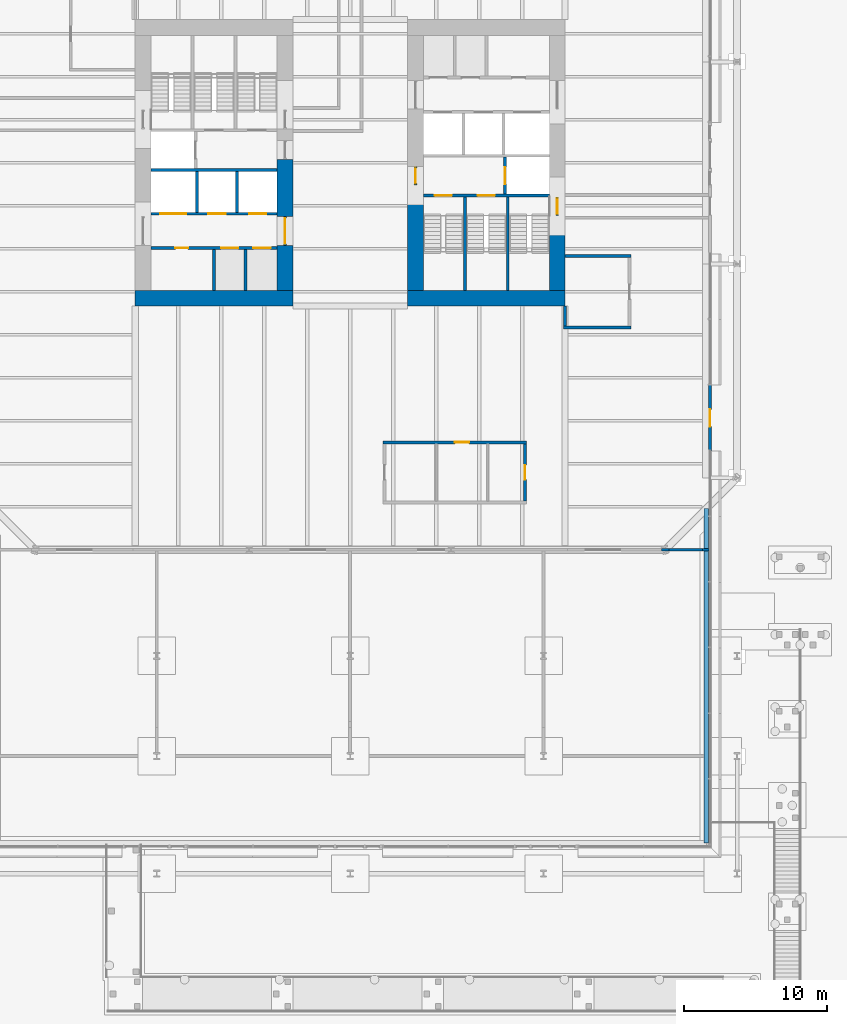
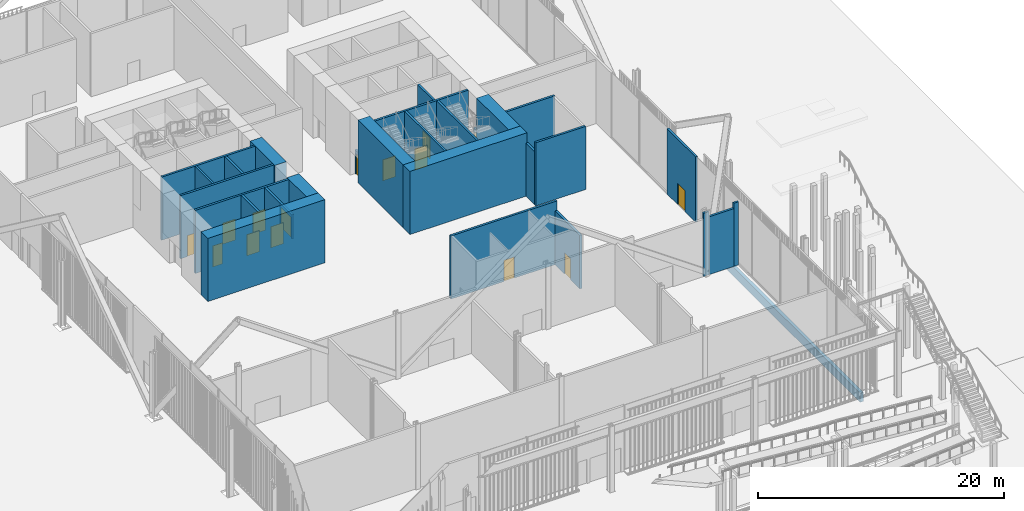
# One storey, part 15 of 28: 30 walls, 15 doors, 15 openings.
"""IFC4 building model written with IfcOpenShell, lengths in metres."""

from ifc_helpers import new_model, si_unit, direction, frame, frame_2d, origin, place, context, subcontext, project, spatial, rectangle, extrude, material, layer, layer_set, type_object, element, fill, save


model = new_model("IFC4")

# Units and contexts
model_context = context("Model", 3, precision=1e-05, world=origin(), true_north=direction((0.0, 1.0)))
body_context = subcontext(model_context, "Body", "Model", "MODEL_VIEW")
ifc_project = project(units=[si_unit("LENGTHUNIT", "METRE"), si_unit("AREAUNIT", "SQUARE_METRE"), si_unit("VOLUMEUNIT", "CUBIC_METRE"), si_unit("PLANEANGLEUNIT", "RADIAN"), si_unit("MASSUNIT", "GRAM", prefix="KILO")], contexts=[model_context])

# Site, building, storey
site_placement = place(None, origin())
site = spatial("IfcSite", under=ifc_project, at=site_placement, CompositionType="ELEMENT")
building_placement = place(site_placement, origin())
building = spatial("IfcBuilding", under=site, at=building_placement, Name="Millrace Tower", CompositionType="ELEMENT")
storey_placement = place(building_placement, origin())
storey = spatial("IfcBuildingStorey", under=building, at=storey_placement, Name="L01", CompositionType="ELEMENT", Elevation=0.0)

# Walls
ifc_material_1 = material(Name="Concrete C80", Category="concrete")
ifc_layer_1 = layer(ifc_material_1, 1.10009765625)
ifc_layer_set_1 = layer_set([ifc_layer_1], Name="Concrete C80")
wall_type_1 = type_object("IfcWallType", Name="Core wall 1100 Concrete C80", PredefinedType="SHEAR", material=ifc_layer_set_1)
wall_1_placement = place(storey_placement, frame((-15.0, -9.449951171875, 0.0), z_axis=(0.0, 0.0, 1.0), x_axis=(1.0, 0.0, 0.0)))
element("IfcWall", 1, at=wall_1_placement, inside=storey, type_object=wall_type_1, Name="Core wall W L01", PredefinedType="SHEAR", context=body_context, shape_type="SweptSolid", body=[
    extrude(rectangle(XDim=11.0, YDim=1.10009765625, at=frame_2d((5.5, 0.0))), origin(), (0.0, 0.0, 1.0), 6.27490234375),
])
wall_2_placement = place(storey_placement, frame((-4.550048828125, -8.89990234375, 0.0), z_axis=(0.0, 0.0, 1.0), x_axis=(0.0, 1.0, 0.0)))
element("IfcWall", 2, at=wall_2_placement, inside=storey, type_object=wall_type_1, Name="Core wall W L01", PredefinedType="SHEAR", context=body_context, shape_type="SweptSolid", body=[
    extrude(rectangle(XDim=3.14990234375, YDim=1.10009765625, at=frame_2d((1.574951171875, 0.0))), origin(), (0.0, 0.0, 1.0), 6.27490234375),
])
wall_3_placement = place(storey_placement, frame((-4.550048828125, -3.75, 0.0), z_axis=(0.0, 0.0, 1.0), x_axis=(0.0, 1.0, 0.0)))
element("IfcWall", 3, at=wall_3_placement, inside=storey, type_object=wall_type_1, Name="Core wall W L01", PredefinedType="SHEAR", context=body_context, shape_type="SweptSolid", body=[
    extrude(rectangle(XDim=4.0, YDim=1.10009765625, at=frame_2d((2.0, 0.0))), origin(), (0.0, 0.0, 1.0), 6.27490234375),
])
wall_4_placement = place(storey_placement, frame((15.0, -9.449951171875, 0.0), z_axis=(0.0, 0.0, 1.0), x_axis=(-1.0, 0.0, 0.0)))
element("IfcWall", 4, at=wall_4_placement, inside=storey, type_object=wall_type_1, Name="Core wall E L01", PredefinedType="SHEAR", context=body_context, shape_type="SweptSolid", body=[
    extrude(rectangle(XDim=11.0, YDim=1.10009765625, at=frame_2d((5.5, 0.0))), origin(), (0.0, 0.0, 1.0), 6.27490234375),
])
wall_5_placement = place(storey_placement, frame((14.449951171875, -3.679931640625, 0.0), z_axis=(0.0, 0.0, 1.0), x_axis=(0.0, -1.0, 0.0)))
element("IfcWall", 5, at=wall_5_placement, inside=storey, type_object=wall_type_1, Name="Core wall E L01", PredefinedType="SHEAR", context=body_context, shape_type="SweptSolid", body=[
    extrude(rectangle(XDim=5.219970703125, YDim=1.10009765625, at=frame_2d((2.60986328125, 0.0))), origin(), (0.0, 0.0, 1.0), 6.27490234375),
])
wall_6_placement = place(storey_placement, frame((4.550048828125, -1.550048828125, 0.0), z_axis=(0.0, 0.0, 1.0), x_axis=(0.0, -1.0, 0.0)))
element("IfcWall", 6, at=wall_6_placement, inside=storey, type_object=wall_type_1, Name="Core wall E L01", PredefinedType="SHEAR", context=body_context, shape_type="SweptSolid", body=[
    extrude(rectangle(XDim=7.349853515625, YDim=1.10009765625, at=frame_2d((3.6748046875, 0.0))), origin(), (0.0, 0.0, 1.0), 6.27490234375),
])
ifc_material_2 = material(Name="Masonry partition, fire-rated", Category="masonry")
ifc_layer_2 = layer(ifc_material_2, 0.199951171875)
ifc_layer_set_2 = layer_set([ifc_layer_2], Name="Masonry partition, fire-rated")
wall_type_2 = type_object("IfcWallType", Name="Corridor wall 200", PredefinedType="PARTITIONING", material=ifc_layer_set_2)
wall_7_placement = place(storey_placement, frame((21.718505859375, -27.0, 0.0), z_axis=(0.0, 0.0, 1.0), x_axis=(1.0, 0.0, 0.0)))
element("IfcWall", 7, at=wall_7_placement, inside=storey, type_object=wall_type_2, Name="Corridor wall L01", PredefinedType="PARTITIONING", context=body_context, shape_type="SweptSolid", body=[
    extrude(rectangle(XDim=0.515869140625, YDim=0.199951171875, at=frame_2d((0.2578125, 0.0))), origin(), (0.0, 0.0, 1.0), 6.27490234375),
])
wall_8_placement = place(storey_placement, frame((22.234375, -27.0, 0.0), z_axis=(0.0, 0.0, 1.0), x_axis=(1.0, 0.0, 0.0)))
element("IfcWall", 8, at=wall_8_placement, inside=storey, type_object=wall_type_2, Name="Corridor wall L01", PredefinedType="PARTITIONING", context=body_context, shape_type="SweptSolid", body=[
    extrude(rectangle(XDim=2.343994140625, YDim=0.199951171875, at=frame_2d((1.171875, 0.0))), origin(), (0.0, 0.0, 1.0), 5.749267578125),
])
wall_9_placement = place(storey_placement, frame((24.578369140625, -27.0, 0.0), z_axis=(0.0, 0.0, 1.0), x_axis=(1.0, 0.0, 0.0)))
element("IfcWall", 9, at=wall_9_placement, inside=storey, type_object=wall_type_2, Name="Corridor wall L01", PredefinedType="PARTITIONING", context=body_context, shape_type="SweptSolid", body=[
    extrude(rectangle(XDim=0.45166015625, YDim=0.199951171875, at=frame_2d((0.225830078125, 0.0))), origin(), (0.0, 0.0, 1.0), 6.27490234375),
])

# Wall, opening, door
wall_10_placement = place(storey_placement, frame((2.300048828125, -19.5, 0.0), z_axis=(0.0, 0.0, 1.0), x_axis=(1.0, 0.0, 0.0)))
wall_10 = element("IfcWall", 10, at=wall_10_placement, inside=storey, type_object=wall_type_2, Name="Corridor wall L01", PredefinedType="PARTITIONING", context=body_context, shape_type="SweptSolid", body=[
    extrude(rectangle(XDim=10.0, YDim=0.199951171875, at=frame_2d((5.0, 0.0))), origin(), (0.0, 0.0, 1.0), 6.27490234375),
])
opening_1_placement = place(wall_10_placement, frame((5.0, 0.0, 0.0)))
opening_1 = element("IfcOpeningElement", 11, at=opening_1_placement, cuts=wall_10, Name="Opening 01-P010", PredefinedType="OPENING", context=body_context, shape_type="SweptSolid", body=[
    extrude(rectangle(XDim=1.0, YDim=2.10009765625, at=frame_2d((0.5, 1.050048828125))), frame((0.0, 0.10986328125, 0.0), z_axis=(0.0, -1.0, 0.0), x_axis=(1.0, 0.0, 0.0)), (0.0, 0.0, 1.0), 0.219970703125),
])
ifc_material_3 = material(Name="Steel door set, fire-rated", Category="steel")
door_type_1 = type_object("IfcDoorType", Name="Corridor door 1000 x 2100", OperationType="SINGLE_SWING_LEFT", PredefinedType="DOOR", material=ifc_material_3)
door_1_placement = place(opening_1_placement, frame((1.0, 0.0, 0.0), z_axis=(0.0, 0.0, 1.0), x_axis=(-1.0, 0.0, 0.0)))
door_1 = element("IfcDoor", 12, at=door_1_placement, inside=storey, type_object=door_type_1, Name="Door 01-P010", OperationType="SINGLE_SWING_LEFT", OverallHeight=2.10009765625, OverallWidth=1.0, PredefinedType="DOOR", context=body_context, shape_type="SweptSolid", body=[
    extrude(rectangle(XDim=1.0, YDim=2.10009765625, at=frame_2d((0.5, 1.050048828125))), frame((0.0, 0.02490234375, 0.0), z_axis=(0.0, -1.0, 0.0), x_axis=(1.0, 0.0, 0.0)), (0.0, 0.0, 1.0), 0.050048828125),
])
fill(opening_1, door_1)

# Walls
wall_11_placement = place(storey_placement, frame((14.89990234375, -11.5, 0.0), z_axis=(0.0, 0.0, 1.0), x_axis=(1.0, 0.0, 0.0)))
element("IfcWall", 13, at=wall_11_placement, inside=storey, type_object=wall_type_2, Name="Corridor wall L01", PredefinedType="PARTITIONING", context=body_context, shape_type="SweptSolid", body=[
    extrude(rectangle(XDim=4.7001953125, YDim=0.199951171875, at=frame_2d((2.35009765625, 0.0))), origin(), (0.0, 0.0, 1.0), 6.27490234375),
])
wall_12_placement = place(storey_placement, frame((15.0, -6.5, 0.0), z_axis=(0.0, 0.0, 1.0), x_axis=(1.0, 0.0, 0.0)))
element("IfcWall", 14, at=wall_12_placement, inside=storey, type_object=wall_type_2, Name="Corridor wall L01", PredefinedType="PARTITIONING", context=body_context, shape_type="SweptSolid", body=[
    extrude(rectangle(XDim=4.60009765625, YDim=0.199951171875, at=frame_2d((2.300048828125, 0.0))), origin(), (0.0, 0.0, 1.0), 6.27490234375),
])
wall_13_placement = place(storey_placement, frame((15.0, -11.39990234375, 0.0), z_axis=(0.0, 0.0, 1.0), x_axis=(0.0, 1.0, 0.0)))
element("IfcWall", 15, at=wall_13_placement, inside=storey, type_object=wall_type_2, Name="Corridor wall L01", PredefinedType="PARTITIONING", context=body_context, shape_type="SweptSolid", body=[
    extrude(rectangle(XDim=1.39990234375, YDim=0.199951171875, at=frame_2d((0.699951171875, 0.0))), origin(), (0.0, 0.0, 1.0), 5.281982421875),
])

# Wall, opening, door
wall_14_placement = place(storey_placement, frame((12.199951171875, -23.60009765625, 0.0), z_axis=(0.0, 0.0, 1.0), x_axis=(0.0, 1.0, 0.0)))
wall_14 = element("IfcWall", 16, at=wall_14_placement, inside=storey, type_object=wall_type_2, Name="Corridor wall L01", PredefinedType="PARTITIONING", context=body_context, shape_type="SweptSolid", body=[
    extrude(rectangle(XDim=4.0, YDim=0.199951171875, at=frame_2d((2.0, 0.0))), origin(), (0.0, 0.0, 1.0), 5.347900390625),
])
opening_2_placement = place(wall_14_placement, frame((1.5, 0.0, 0.0)))
opening_2 = element("IfcOpeningElement", 17, at=opening_2_placement, cuts=wall_14, Name="Opening 01-P011", PredefinedType="OPENING", context=body_context, shape_type="SweptSolid", body=[
    extrude(rectangle(XDim=1.0, YDim=2.10009765625, at=frame_2d((0.5, 1.050048828125))), frame((0.0, 0.10986328125, 0.0), z_axis=(0.0, -1.0, 0.0), x_axis=(1.0, 0.0, 0.0)), (0.0, 0.0, 1.0), 0.219970703125),
])
door_2_placement = place(opening_2_placement, origin())
door_2 = element("IfcDoor", 18, at=door_2_placement, inside=storey, type_object=door_type_1, Name="Door 01-P011", OperationType="SINGLE_SWING_RIGHT", OverallHeight=2.10009765625, OverallWidth=1.0, PredefinedType="DOOR", context=body_context, shape_type="SweptSolid", body=[
    extrude(rectangle(XDim=1.0, YDim=2.10009765625, at=frame_2d((0.5, 1.050048828125))), frame((0.0, 0.02490234375, 0.0), z_axis=(0.0, -1.0, 0.0), x_axis=(1.0, 0.0, 0.0)), (0.0, 0.0, 1.0), 0.050048828125),
])
fill(opening_2, door_2)

ifc_material_4 = material(Name="Aluminium framed glazing", Category="aluminium")
ifc_layer_3 = layer(ifc_material_4, 0.199951171875)
ifc_layer_set_3 = layer_set([ifc_layer_3], Name="Aluminium framed glazing")
wall_type_3 = type_object("IfcWallType", Name="Entrance infill wall 200 thick", PredefinedType="STANDARD", material=ifc_layer_set_3)
wall_15_placement = place(storey_placement, frame((25.10009765625, -20.10009765625, 0.0), z_axis=(0.0, 0.0, 1.0), x_axis=(0.0, 1.0, 0.0)))
wall_15 = element("IfcWall", 19, at=wall_15_placement, inside=storey, type_object=wall_type_3, Name="Entrance infill wall AW1-F02 7", PredefinedType="STANDARD", context=body_context, shape_type="SweptSolid", body=[
    extrude(rectangle(XDim=4.658447265625, YDim=0.199951171875, at=frame_2d((2.3291015625, 0.0))), origin(), (0.0, 0.0, 1.0), 6.5),
])
opening_3_placement = place(wall_15_placement, frame((1.691650390625, 0.0, 0.0)))
opening_3 = element("IfcOpeningElement", 20, at=opening_3_placement, cuts=wall_15, Name="Opening 01-X004", PredefinedType="OPENING", context=body_context, shape_type="SweptSolid", body=[
    extrude(rectangle(XDim=1.199951171875, YDim=2.10009765625, at=frame_2d((0.60009765625, 1.050048828125))), frame((0.0, 0.10986328125, 0.0), z_axis=(0.0, -1.0, 0.0), x_axis=(1.0, 0.0, 0.0)), (0.0, 0.0, 1.0), 0.219970703125),
])
ifc_material_5 = material(Name="Steel", Category="steel")
door_type_2 = type_object("IfcDoorType", Name="Exit door to the plaza", OperationType="SINGLE_SWING_RIGHT", PredefinedType="DOOR", material=ifc_material_5)
door_3_placement = place(opening_3_placement, frame((1.199951171875, 0.0, 0.0), z_axis=(0.0, 0.0, 1.0), x_axis=(-1.0, 0.0, 0.0)))
door_3 = element("IfcDoor", 21, at=door_3_placement, inside=storey, type_object=door_type_2, Name="01-X004", OperationType="SINGLE_SWING_RIGHT", OverallHeight=2.10009765625, OverallWidth=1.199951171875, PredefinedType="DOOR", context=body_context, shape_type="SweptSolid", body=[
    extrude(rectangle(XDim=1.199951171875, YDim=2.10009765625, at=frame_2d((0.60009765625, 1.050048828125))), frame((0.0, 0.02490234375, 0.0), z_axis=(0.0, -1.0, 0.0), x_axis=(1.0, 0.0, 0.0)), (0.0, 0.0, 1.0), 0.050048828125),
])
fill(opening_3, door_3)

# Wall
ifc_material_6 = material(Name="Concrete C35", Category="concrete")
ifc_layer_4 = layer(ifc_material_6, 0.300048828125)
ifc_layer_set_4 = layer_set([ifc_layer_4], Name="Concrete C35")
wall_type_4 = type_object("IfcWallType", Name="Frost wall 300 mm", PredefinedType="SOLIDWALL", material=ifc_layer_set_4)
wall_16_placement = place(storey_placement, frame((24.85009765625, -24.12841796875, -1.199951171875), z_axis=(0.0, 0.0, 1.0), x_axis=(0.0, -1.0, 0.0)))
element("IfcWall", 22, at=wall_16_placement, inside=storey, type_object=wall_type_4, Name="BW-A-L01-F02", PredefinedType="SOLIDWALL", context=body_context, shape_type="SweptSolid", body=[
    extrude(rectangle(XDim=23.321533203125, YDim=0.300048828125, at=frame_2d((11.66064453125, 0.0))), origin(), (0.0, 0.0, 1.0), 0.89990234375),
])

# Wall, openings, doors
ifc_material_7 = material(Name="Masonry partition, fire-rated", Category="masonry")
ifc_layer_5 = layer(ifc_material_7, 0.199951171875)
ifc_layer_set_5 = layer_set([ifc_layer_5], Name="Masonry partition, fire-rated")
wall_type_5 = type_object("IfcWallType", Name="Lift shaft wall 200", PredefinedType="PARTITIONING", material=ifc_layer_set_5)
wall_17_placement = place(storey_placement, frame((-13.89990234375, -5.949951171875, 0.0), z_axis=(0.0, 0.0, 1.0), x_axis=(1.0, 0.0, 0.0)))
wall_17 = element("IfcWall", 23, at=wall_17_placement, inside=storey, type_object=wall_type_5, Name="Lift shaft wall W L01", PredefinedType="PARTITIONING", context=body_context, shape_type="SweptSolid", body=[
    extrude(rectangle(XDim=8.7998046875, YDim=0.199951171875, at=frame_2d((4.39990234375, 0.0))), origin(), (0.0, 0.0, 1.0), 6.27490234375),
])
opening_4_placement = place(wall_17_placement, frame((4.89990234375, 0.0, 0.0)))
opening_4 = element("IfcOpeningElement", 24, at=opening_4_placement, cuts=wall_17, Name="Opening 01-LD03", PredefinedType="OPENING", context=body_context, shape_type="SweptSolid", body=[
    extrude(rectangle(XDim=1.199951171875, YDim=2.10009765625, at=frame_2d((0.60009765625, 1.050048828125))), frame((0.0, 0.10986328125, 0.0), z_axis=(0.0, -1.0, 0.0), x_axis=(1.0, 0.0, 0.0)), (0.0, 0.0, 1.0), 0.219970703125),
])
opening_5_placement = place(wall_17_placement, frame((7.14990234375, 0.0, 0.0)))
opening_5 = element("IfcOpeningElement", 25, at=opening_5_placement, cuts=wall_17, Name="Opening 01-LD04", PredefinedType="OPENING", context=body_context, shape_type="SweptSolid", body=[
    extrude(rectangle(XDim=1.199951171875, YDim=2.10009765625, at=frame_2d((0.60009765625, 1.050048828125))), frame((0.0, 0.10986328125, 0.0), z_axis=(0.0, -1.0, 0.0), x_axis=(1.0, 0.0, 0.0)), (0.0, 0.0, 1.0), 0.219970703125),
])
opening_6_placement = place(wall_17_placement, frame((1.699951171875, 0.0, 0.0)))
opening_6 = element("IfcOpeningElement", 26, at=opening_6_placement, cuts=wall_17, Name="Opening 01-C006", PredefinedType="OPENING", context=body_context, shape_type="SweptSolid", body=[
    extrude(rectangle(XDim=0.89990234375, YDim=2.10009765625, at=frame_2d((0.449951171875, 1.050048828125))), frame((0.0, 0.10986328125, 0.0), z_axis=(0.0, -1.0, 0.0), x_axis=(1.0, 0.0, 0.0)), (0.0, 0.0, 1.0), 0.219970703125),
])
ifc_material_8 = material(Name="Stainless steel, fire-rated", Category="steel")
door_type_3 = type_object("IfcDoorType", Name="Lift landing door 1200 x 2100", OperationType="DOUBLE_DOOR_SLIDING", PredefinedType="DOOR", material=ifc_material_8)
door_4_placement = place(opening_4_placement, origin())
door_4 = element("IfcDoor", 27, at=door_4_placement, inside=storey, type_object=door_type_3, Name="Lift landing door LF3 L01", OperationType="DOUBLE_DOOR_SLIDING", OverallHeight=2.10009765625, OverallWidth=1.199951171875, PredefinedType="DOOR", context=body_context, shape_type="SweptSolid", body=[
    extrude(rectangle(XDim=1.199951171875, YDim=2.10009765625, at=frame_2d((0.60009765625, 1.050048828125))), frame((0.0, 0.02490234375, 0.0), z_axis=(0.0, -1.0, 0.0), x_axis=(1.0, 0.0, 0.0)), (0.0, 0.0, 1.0), 0.050048828125),
])
fill(opening_4, door_4)
door_5_placement = place(opening_5_placement, origin())
door_5 = element("IfcDoor", 28, at=door_5_placement, inside=storey, type_object=door_type_3, Name="Lift landing door LF4 L01", OperationType="DOUBLE_DOOR_SLIDING", OverallHeight=2.10009765625, OverallWidth=1.199951171875, PredefinedType="DOOR", context=body_context, shape_type="SweptSolid", body=[
    extrude(rectangle(XDim=1.199951171875, YDim=2.10009765625, at=frame_2d((0.60009765625, 1.050048828125))), frame((0.0, 0.02490234375, 0.0), z_axis=(0.0, -1.0, 0.0), x_axis=(1.0, 0.0, 0.0)), (0.0, 0.0, 1.0), 0.050048828125),
])
fill(opening_5, door_5)
ifc_material_9 = material(Name="Steel door, fire-rated", Category="steel")
door_type_4 = type_object("IfcDoorType", Name="Service room door 900 x 2100", OperationType="SINGLE_SWING_LEFT", PredefinedType="DOOR", material=ifc_material_9)
door_6_placement = place(opening_6_placement, frame((0.89990234375, 0.0, 0.0), z_axis=(0.0, 0.0, 1.0), x_axis=(-1.0, 0.0, 0.0)))
door_6 = element("IfcDoor", 29, at=door_6_placement, inside=storey, type_object=door_type_4, Name="Service room door 01-C006", OperationType="SINGLE_SWING_RIGHT", OverallHeight=2.10009765625, OverallWidth=0.89990234375, PredefinedType="DOOR", context=body_context, shape_type="SweptSolid", body=[
    extrude(rectangle(XDim=0.89990234375, YDim=2.10009765625, at=frame_2d((0.449951171875, 1.050048828125))), frame((0.0, 0.02490234375, 0.0), z_axis=(0.0, -1.0, 0.0), x_axis=(1.0, 0.0, 0.0)), (0.0, 0.0, 1.0), 0.050048828125),
])
fill(opening_6, door_6)

wall_18_placement = place(storey_placement, frame((-13.89990234375, -3.550048828125, 0.0), z_axis=(0.0, 0.0, 1.0), x_axis=(1.0, 0.0, 0.0)))
wall_18 = element("IfcWall", 30, at=wall_18_placement, inside=storey, type_object=wall_type_5, Name="Lift shaft wall W L01", PredefinedType="PARTITIONING", context=body_context, shape_type="SweptSolid", body=[
    extrude(rectangle(XDim=8.7998046875, YDim=0.199951171875, at=frame_2d((4.39990234375, 0.0))), origin(), (0.0, 0.0, 1.0), 6.27490234375),
])
opening_7_placement = place(wall_18_placement, frame((0.64990234375, 0.0, 0.0)))
opening_7 = element("IfcOpeningElement", 31, at=opening_7_placement, cuts=wall_18, Name="Opening 01-LD05", PredefinedType="OPENING", context=body_context, shape_type="SweptSolid", body=[
    extrude(rectangle(XDim=1.800048828125, YDim=2.10009765625, at=frame_2d((0.89990234375, 1.050048828125))), frame((0.0, 0.10986328125, 0.0), z_axis=(0.0, -1.0, 0.0), x_axis=(1.0, 0.0, 0.0)), (0.0, 0.0, 1.0), 0.219970703125),
])
opening_8_placement = place(wall_18_placement, frame((4.0, 0.0, 0.0)))
opening_8 = element("IfcOpeningElement", 32, at=opening_8_placement, cuts=wall_18, Name="Opening 01-LD06", PredefinedType="OPENING", context=body_context, shape_type="SweptSolid", body=[
    extrude(rectangle(XDim=1.199951171875, YDim=2.10009765625, at=frame_2d((0.60009765625, 1.050048828125))), frame((0.0, 0.10986328125, 0.0), z_axis=(0.0, -1.0, 0.0), x_axis=(1.0, 0.0, 0.0)), (0.0, 0.0, 1.0), 0.219970703125),
])
opening_9_placement = place(wall_18_placement, frame((6.85009765625, 0.0, 0.0)))
opening_9 = element("IfcOpeningElement", 33, at=opening_9_placement, cuts=wall_18, Name="Opening 01-LD07", PredefinedType="OPENING", context=body_context, shape_type="SweptSolid", body=[
    extrude(rectangle(XDim=1.199951171875, YDim=2.10009765625, at=frame_2d((0.60009765625, 1.050048828125))), frame((0.0, 0.10986328125, 0.0), z_axis=(0.0, -1.0, 0.0), x_axis=(1.0, 0.0, 0.0)), (0.0, 0.0, 1.0), 0.219970703125),
])
door_7_placement = place(opening_8_placement, origin())
door_7 = element("IfcDoor", 34, at=door_7_placement, inside=storey, type_object=door_type_3, Name="Lift landing door LF6 L01", OperationType="DOUBLE_DOOR_SLIDING", OverallHeight=2.10009765625, OverallWidth=1.199951171875, PredefinedType="DOOR", context=body_context, shape_type="SweptSolid", body=[
    extrude(rectangle(XDim=1.199951171875, YDim=2.10009765625, at=frame_2d((0.60009765625, 1.050048828125))), frame((0.0, 0.02490234375, 0.0), z_axis=(0.0, -1.0, 0.0), x_axis=(1.0, 0.0, 0.0)), (0.0, 0.0, 1.0), 0.050048828125),
])
fill(opening_8, door_7)
door_8_placement = place(opening_9_placement, origin())
door_8 = element("IfcDoor", 35, at=door_8_placement, inside=storey, type_object=door_type_3, Name="Lift landing door LF7 L01", OperationType="DOUBLE_DOOR_SLIDING", OverallHeight=2.10009765625, OverallWidth=1.199951171875, PredefinedType="DOOR", context=body_context, shape_type="SweptSolid", body=[
    extrude(rectangle(XDim=1.199951171875, YDim=2.10009765625, at=frame_2d((0.60009765625, 1.050048828125))), frame((0.0, 0.02490234375, 0.0), z_axis=(0.0, -1.0, 0.0), x_axis=(1.0, 0.0, 0.0)), (0.0, 0.0, 1.0), 0.050048828125),
])
fill(opening_9, door_8)
ifc_material_10 = material(Name="Stainless steel, fire-rated", Category="steel")
door_type_5 = type_object("IfcDoorType", Name="Lift landing door 1800 x 2100", OperationType="DOUBLE_DOOR_SLIDING", PredefinedType="DOOR", material=ifc_material_10)
door_9_placement = place(opening_7_placement, origin())
door_9 = element("IfcDoor", 36, at=door_9_placement, inside=storey, type_object=door_type_5, Name="Lift landing door LF5 L01", OperationType="DOUBLE_DOOR_SLIDING", OverallHeight=2.10009765625, OverallWidth=1.800048828125, PredefinedType="DOOR", context=body_context, shape_type="SweptSolid", body=[
    extrude(rectangle(XDim=1.800048828125, YDim=2.10009765625, at=frame_2d((0.89990234375, 1.050048828125))), frame((0.0, 0.02490234375, 0.0), z_axis=(0.0, -1.0, 0.0), x_axis=(1.0, 0.0, 0.0)), (0.0, 0.0, 1.0), 0.050048828125),
])
fill(opening_7, door_9)

# Walls
wall_19_placement = place(storey_placement, frame((-13.89990234375, -0.5, 0.0), z_axis=(0.0, 0.0, 1.0), x_axis=(1.0, 0.0, 0.0)))
element("IfcWall", 37, at=wall_19_placement, inside=storey, type_object=wall_type_5, Name="Lift shaft wall W L01", PredefinedType="PARTITIONING", context=body_context, shape_type="SweptSolid", body=[
    extrude(rectangle(XDim=8.7998046875, YDim=0.199951171875, at=frame_2d((4.39990234375, 0.0))), origin(), (0.0, 0.0, 1.0), 6.27490234375),
])
for number, where, z_axis, x_axis, name in (
    (38, (-9.5, -8.89990234375, 0.0), (0.0, 0.0, 1.0), (0.0, 1.0, 0.0), "Lift shaft wall W L01"),
    (39, (-7.300048828125, -8.89990234375, 0.0), (0.0, 0.0, 1.0), (0.0, 1.0, 0.0), "Lift shaft wall W L01"),
    (40, (-10.699951171875, -3.449951171875, 0.0), (0.0, 0.0, 1.0), (0.0, 1.0, 0.0), "Lift shaft wall W L01"),
    (41, (-7.89990234375, -3.449951171875, 0.0), (0.0, 0.0, 1.0), (0.0, 1.0, 0.0), "Lift shaft wall W L01"),
):
    element("IfcWall", number, at=place(storey_placement, frame(where, z_axis=z_axis, x_axis=x_axis)), inside=storey, type_object=wall_type_5, Name=name, PredefinedType="PARTITIONING", context=body_context, shape_type="SweptSolid", body=[
        extrude(rectangle(XDim=2.849853515625, YDim=0.199951171875, at=frame_2d((1.4248046875, 0.0))), origin(), (0.0, 0.0, 1.0), 6.27490234375),
    ])

# Wall, opening, door
wall_20_placement = place(storey_placement, frame((10.800048828125, 0.39990234375, 0.0), z_axis=(0.0, 0.0, 1.0), x_axis=(0.0, -1.0, 0.0)))
wall_20 = element("IfcWall", 42, at=wall_20_placement, inside=storey, type_object=wall_type_5, Name="Lift shaft wall E L01", PredefinedType="PARTITIONING", context=body_context, shape_type="SweptSolid", body=[
    extrude(rectangle(XDim=2.579833984375, YDim=0.199951171875, at=frame_2d((1.2900390625, 0.0))), origin(), (0.0, 0.0, 1.0), 6.27490234375),
])
opening_10_placement = place(wall_20_placement, frame((0.68994140625, 0.0, 0.0)))
opening_10 = element("IfcOpeningElement", 43, at=opening_10_placement, cuts=wall_20, Name="Opening 01-LD16", PredefinedType="OPENING", context=body_context, shape_type="SweptSolid", body=[
    extrude(rectangle(XDim=1.199951171875, YDim=2.10009765625, at=frame_2d((0.60009765625, 1.050048828125))), frame((0.0, 0.10986328125, 0.0), z_axis=(0.0, -1.0, 0.0), x_axis=(1.0, 0.0, 0.0)), (0.0, 0.0, 1.0), 0.219970703125),
])
door_10_placement = place(opening_10_placement, origin())
door_10 = element("IfcDoor", 44, at=door_10_placement, inside=storey, type_object=door_type_3, Name="Lift landing door LF16 L01", OperationType="DOUBLE_DOOR_SLIDING", OverallHeight=2.10009765625, OverallWidth=1.199951171875, PredefinedType="DOOR", context=body_context, shape_type="SweptSolid", body=[
    extrude(rectangle(XDim=1.199951171875, YDim=2.10009765625, at=frame_2d((0.60009765625, 1.050048828125))), frame((0.0, 0.02490234375, 0.0), z_axis=(0.0, -1.0, 0.0), x_axis=(1.0, 0.0, 0.0)), (0.0, 0.0, 1.0), 0.050048828125),
])
fill(opening_10, door_10)

ifc_material_11 = material(Name="Masonry partition, fire-rated", Category="masonry")
ifc_layer_6 = layer(ifc_material_11, 0.199951171875)
ifc_layer_set_6 = layer_set([ifc_layer_6], Name="Masonry partition, fire-rated")
wall_type_6 = type_object("IfcWallType", Name="Lobby wall 200", PredefinedType="PARTITIONING", material=ifc_layer_set_6)
wall_21_placement = place(storey_placement, frame((-4.550048828125, -5.75, 0.0), z_axis=(0.0, 0.0, 1.0), x_axis=(0.0, 1.0, 0.0)))
wall_21 = element("IfcWall", 45, at=wall_21_placement, inside=storey, type_object=wall_type_6, Name="Lobby wall W L01", PredefinedType="PARTITIONING", context=body_context, shape_type="SweptSolid", body=[
    extrude(rectangle(XDim=2.0, YDim=0.199951171875, at=frame_2d((1.0, 0.0))), origin(), (0.0, 0.0, 1.0), 2.39990234375),
])
opening_11_placement = place(wall_21_placement, frame((0.10009765625, 0.0, 0.0)))
opening_11 = element("IfcOpeningElement", 46, at=opening_11_placement, cuts=wall_21, Name="Opening 01-C003", PredefinedType="OPENING", context=body_context, shape_type="SweptSolid", body=[
    extrude(rectangle(XDim=1.800048828125, YDim=2.10009765625, at=frame_2d((0.89990234375, 1.050048828125))), frame((0.0, 0.10986328125, 0.0), z_axis=(0.0, -1.0, 0.0), x_axis=(1.0, 0.0, 0.0)), (0.0, 0.0, 1.0), 0.219970703125),
])
ifc_material_12 = material(Name="Steel door, fire-rated", Category="steel")
door_type_6 = type_object("IfcDoorType", Name="Lobby door 1800 x 2100", OperationType="DOUBLE_DOOR_SINGLE_SWING", PredefinedType="DOOR", material=ifc_material_12)
door_11_placement = place(opening_11_placement, origin())
door_11 = element("IfcDoor", 47, at=door_11_placement, inside=storey, type_object=door_type_6, Name="Lobby door 01-C003", OperationType="DOUBLE_DOOR_SINGLE_SWING", OverallHeight=2.10009765625, OverallWidth=1.800048828125, PredefinedType="DOOR", context=body_context, shape_type="SweptSolid", body=[
    extrude(rectangle(XDim=1.800048828125, YDim=2.10009765625, at=frame_2d((0.89990234375, 1.050048828125))), frame((0.0, 0.02490234375, 0.0), z_axis=(0.0, -1.0, 0.0), x_axis=(1.0, 0.0, 0.0)), (0.0, 0.0, 1.0), 0.050048828125),
])
fill(opening_11, door_11)

wall_22_placement = place(storey_placement, frame((4.550048828125, -0.25, 0.0), z_axis=(0.0, 0.0, 1.0), x_axis=(0.0, -1.0, 0.0)))
wall_22 = element("IfcWall", 48, at=wall_22_placement, inside=storey, type_object=wall_type_6, Name="Lobby wall E L01", PredefinedType="PARTITIONING", context=body_context, shape_type="SweptSolid", body=[
    extrude(rectangle(XDim=1.300048828125, YDim=0.199951171875, at=frame_2d((0.64990234375, 0.0))), origin(), (0.0, 0.0, 1.0), 2.39990234375),
])
opening_12_placement = place(wall_22_placement, frame((0.10009765625, 0.0, 0.0)))
opening_12 = element("IfcOpeningElement", 49, at=opening_12_placement, cuts=wall_22, Name="Opening 01-C012", PredefinedType="OPENING", context=body_context, shape_type="SweptSolid", body=[
    extrude(rectangle(XDim=1.10009765625, YDim=2.10009765625, at=frame_2d((0.550048828125, 1.050048828125))), frame((0.0, 0.10986328125, 0.0), z_axis=(0.0, -1.0, 0.0), x_axis=(1.0, 0.0, 0.0)), (0.0, 0.0, 1.0), 0.219970703125),
])
ifc_material_13 = material(Name="Steel door, fire-rated", Category="steel")
door_type_7 = type_object("IfcDoorType", Name="Lobby door 1100 x 2100", OperationType="SINGLE_SWING_LEFT", PredefinedType="DOOR", material=ifc_material_13)
door_12_placement = place(opening_12_placement, origin())
door_12 = element("IfcDoor", 50, at=door_12_placement, inside=storey, type_object=door_type_7, Name="Lobby door 01-C012", OperationType="SINGLE_SWING_RIGHT", OverallHeight=2.10009765625, OverallWidth=1.10009765625, PredefinedType="DOOR", context=body_context, shape_type="SweptSolid", body=[
    extrude(rectangle(XDim=1.10009765625, YDim=2.10009765625, at=frame_2d((0.550048828125, 1.050048828125))), frame((0.0, 0.02490234375, 0.0), z_axis=(0.0, -1.0, 0.0), x_axis=(1.0, 0.0, 0.0)), (0.0, 0.0, 1.0), 0.050048828125),
])
fill(opening_12, door_12)

ifc_material_14 = material(Name="Concrete C40", Category="concrete")
ifc_layer_7 = layer(ifc_material_14, 0.199951171875)
ifc_layer_set_7 = layer_set([ifc_layer_7], Name="Concrete C40")
wall_type_7 = type_object("IfcWallType", Name="Stair enclosure wall 200 Concrete C40", PredefinedType="SHEAR", material=ifc_layer_set_7)
wall_23_placement = place(storey_placement, frame((14.449951171875, -2.3798828125, 0.0), z_axis=(0.0, 0.0, 1.0), x_axis=(0.0, -1.0, 0.0)))
wall_23 = element("IfcWall", 51, at=wall_23_placement, inside=storey, type_object=wall_type_7, Name="Stair enclosure wall E L01", PredefinedType="SHEAR", context=body_context, shape_type="SweptSolid", body=[
    extrude(rectangle(XDim=1.300048828125, YDim=0.199951171875, at=frame_2d((0.64990234375, 0.0))), origin(), (0.0, 0.0, 1.0), 2.39990234375),
])
opening_13_placement = place(wall_23_placement, frame((0.10009765625, 0.0, 0.0)))
opening_13 = element("IfcOpeningElement", 52, at=opening_13_placement, cuts=wall_23, Name="Opening 01-C010", PredefinedType="OPENING", context=body_context, shape_type="SweptSolid", body=[
    extrude(rectangle(XDim=1.10009765625, YDim=2.10009765625, at=frame_2d((0.550048828125, 1.050048828125))), frame((0.0, 0.10986328125, 0.0), z_axis=(0.0, -1.0, 0.0), x_axis=(1.0, 0.0, 0.0)), (0.0, 0.0, 1.0), 0.219970703125),
])
ifc_material_15 = material(Name="Steel door, fire-rated", Category="steel")
door_type_8 = type_object("IfcDoorType", Name="Stair door 1100 x 2100", OperationType="SINGLE_SWING_LEFT", PredefinedType="DOOR", material=ifc_material_15)
door_13_placement = place(opening_13_placement, origin())
door_13 = element("IfcDoor", 53, at=door_13_placement, inside=storey, type_object=door_type_8, Name="Stair door 01-C010", OperationType="SINGLE_SWING_LEFT", OverallHeight=2.10009765625, OverallWidth=1.10009765625, PredefinedType="DOOR", context=body_context, shape_type="SweptSolid", body=[
    extrude(rectangle(XDim=1.10009765625, YDim=2.10009765625, at=frame_2d((0.550048828125, 1.050048828125))), frame((0.0, 0.02490234375, 0.0), z_axis=(0.0, -1.0, 0.0), x_axis=(1.0, 0.0, 0.0)), (0.0, 0.0, 1.0), 0.050048828125),
])
fill(opening_13, door_13)

# Wall, openings, doors
wall_24_placement = place(storey_placement, frame((13.89990234375, -2.280029296875, 0.0), z_axis=(0.0, 0.0, 1.0), x_axis=(-1.0, 0.0, 0.0)))
wall_24 = element("IfcWall", 54, at=wall_24_placement, inside=storey, type_object=wall_type_7, Name="Stair enclosure wall E L01", PredefinedType="SHEAR", context=body_context, shape_type="SweptSolid", body=[
    extrude(rectangle(XDim=8.7998046875, YDim=0.199951171875, at=frame_2d((4.39990234375, 0.0))), origin(), (0.0, 0.0, 1.0), 6.27490234375),
])
opening_14_placement = place(wall_24_placement, frame((3.800048828125, 0.0, 0.0)))
opening_14 = element("IfcOpeningElement", 55, at=opening_14_placement, cuts=wall_24, Name="Opening 01-C014", PredefinedType="OPENING", context=body_context, shape_type="SweptSolid", body=[
    extrude(rectangle(XDim=1.199951171875, YDim=2.10009765625, at=frame_2d((0.60009765625, 1.050048828125))), frame((0.0, 0.10986328125, 0.0), z_axis=(0.0, -1.0, 0.0), x_axis=(1.0, 0.0, 0.0)), (0.0, 0.0, 1.0), 0.219970703125),
])
opening_15_placement = place(wall_24_placement, frame((6.800048828125, 0.0, 0.0)))
opening_15 = element("IfcOpeningElement", 56, at=opening_15_placement, cuts=wall_24, Name="Opening 01-C015", PredefinedType="OPENING", context=body_context, shape_type="SweptSolid", body=[
    extrude(rectangle(XDim=1.199951171875, YDim=2.10009765625, at=frame_2d((0.60009765625, 1.050048828125))), frame((0.0, 0.10986328125, 0.0), z_axis=(0.0, -1.0, 0.0), x_axis=(1.0, 0.0, 0.0)), (0.0, 0.0, 1.0), 0.219970703125),
])
ifc_material_16 = material(Name="Steel door, fire-rated", Category="steel")
door_type_9 = type_object("IfcDoorType", Name="Stair door 1200 x 2100", OperationType="SINGLE_SWING_LEFT", PredefinedType="DOOR", material=ifc_material_16)
door_14_placement = place(opening_14_placement, frame((1.199951171875, 0.0, 0.0), z_axis=(0.0, 0.0, 1.0), x_axis=(-1.0, 0.0, 0.0)))
door_14 = element("IfcDoor", 57, at=door_14_placement, inside=storey, type_object=door_type_9, Name="Stair door 01-C014", OperationType="SINGLE_SWING_RIGHT", OverallHeight=2.10009765625, OverallWidth=1.199951171875, PredefinedType="DOOR", context=body_context, shape_type="SweptSolid", body=[
    extrude(rectangle(XDim=1.199951171875, YDim=2.10009765625, at=frame_2d((0.60009765625, 1.050048828125))), frame((0.0, 0.02490234375, 0.0), z_axis=(0.0, -1.0, 0.0), x_axis=(1.0, 0.0, 0.0)), (0.0, 0.0, 1.0), 0.050048828125),
])
fill(opening_14, door_14)
door_15_placement = place(opening_15_placement, frame((1.199951171875, 0.0, 0.0), z_axis=(0.0, 0.0, 1.0), x_axis=(-1.0, 0.0, 0.0)))
door_15 = element("IfcDoor", 58, at=door_15_placement, inside=storey, type_object=door_type_9, Name="Stair door 01-C015", OperationType="SINGLE_SWING_LEFT", OverallHeight=2.10009765625, OverallWidth=1.199951171875, PredefinedType="DOOR", context=body_context, shape_type="SweptSolid", body=[
    extrude(rectangle(XDim=1.199951171875, YDim=2.10009765625, at=frame_2d((0.60009765625, 1.050048828125))), frame((0.0, 0.02490234375, 0.0), z_axis=(0.0, -1.0, 0.0), x_axis=(1.0, 0.0, 0.0)), (0.0, 0.0, 1.0), 0.050048828125),
])
fill(opening_15, door_15)

# Walls
for number, where, z_axis, x_axis, name in (
    (59, (11.0, -2.3798828125, 0.0), (0.0, 0.0, 1.0), (0.0, -1.0, 0.0), "Stair enclosure wall E L01"),
    (60, (8.0, -2.3798828125, 0.0), (0.0, 0.0, 1.0), (0.0, -1.0, 0.0), "Stair enclosure wall E L01"),
):
    element("IfcWall", number, at=place(storey_placement, frame(where, z_axis=z_axis, x_axis=x_axis)), inside=storey, type_object=wall_type_7, Name=name, PredefinedType="SHEAR", context=body_context, shape_type="SweptSolid", body=[
        extrude(rectangle(XDim=6.52001953125, YDim=0.199951171875, at=frame_2d((3.260009765625, 0.0))), origin(), (0.0, 0.0, 1.0), 6.27490234375),
    ])

save(model, "model.ifc")
